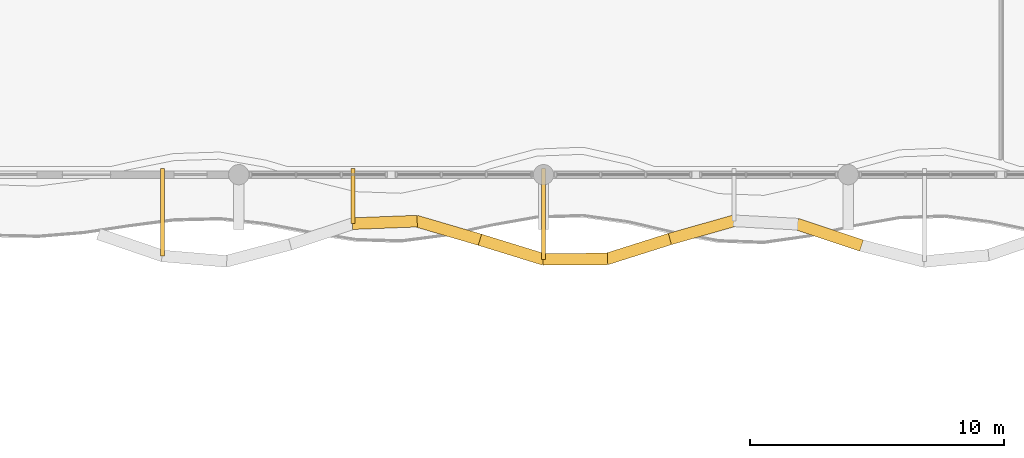
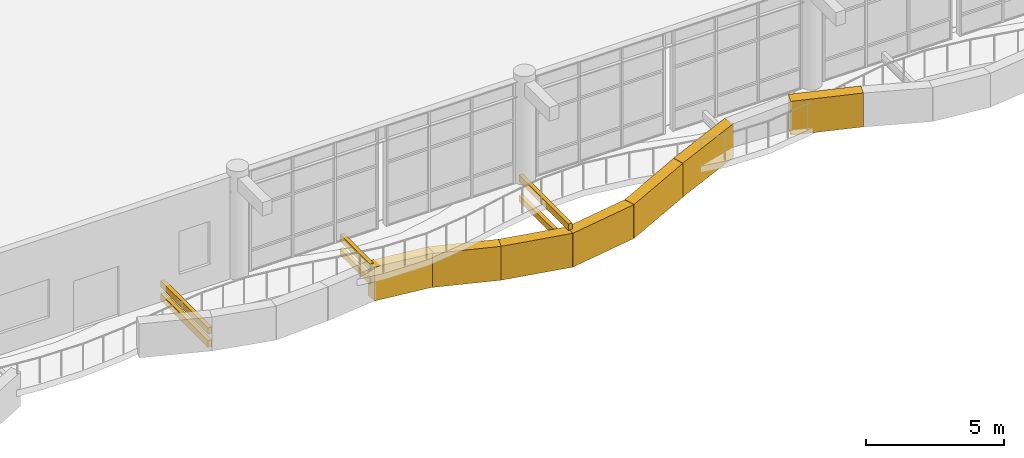
# One storey, part 59 of 72: 13 coverings.
"""IFC4 building model written with IfcOpenShell, lengths in metres."""

from ifc_helpers import new_model, si_unit, direction, frame, frame_2d, origin, place, context, subcontext, project, spatial, polyline, rectangle, outline, extrude, material, layer, layer_set, type_object, element, save


model = new_model("IFC4")

# Units and contexts
model_context = context("Model", 3, precision=1e-05, world=origin(), true_north=direction((0.0, 1.0)))
body_context = subcontext(model_context, "Body", "Model", "MODEL_VIEW")
ifc_project = project(units=[si_unit("LENGTHUNIT", "METRE"), si_unit("AREAUNIT", "SQUARE_METRE"), si_unit("VOLUMEUNIT", "CUBIC_METRE"), si_unit("PLANEANGLEUNIT", "RADIAN"), si_unit("MASSUNIT", "GRAM", prefix="KILO")], contexts=[model_context])

# Site, building, storey
site_placement = place(None, origin())
site = spatial("IfcSite", under=ifc_project, at=site_placement, CompositionType="ELEMENT")
building_placement = place(site_placement, origin())
building = spatial("IfcBuilding", under=site, at=building_placement, Name="Keelwater Ferry Terminal", CompositionType="ELEMENT")
storey_placement = place(building_placement, frame((0.0, 0.0, 5.39990234375)))
storey = spatial("IfcBuildingStorey", under=building, at=storey_placement, Name="L01", CompositionType="ELEMENT", Elevation=5.39990234375)

# Coverings
ifc_material = material(Name="Matte white architectural aluminium fascia ribbon", Category="aluminium")
ifc_layer = layer(ifc_material, 0.1201171875)
ifc_layer_set = layer_set([ifc_layer], Name="Matte white architectural aluminium fascia ribbon")
covering_type = type_object("IfcCoveringType", Name="RB-WHT Matte White Fascia Ribbon", PredefinedType="CLADDING", material=ifc_layer_set)
covering_1_placement = place(storey_placement, frame((69.0, 38.799072265625, 0.343017578125), z_axis=(0.0, 0.0, 1.0), x_axis=(0.0, 1.0, 0.0)))
element("IfcCovering", 1, at=covering_1_placement, inside=storey, type_object=covering_type, Name="Ribbon Horizontal Tie Bracket 400", PredefinedType="CLADDING", context=body_context, shape_type="SweptSolid", body=[
    extrude(rectangle(XDim=3.450927734375, YDim=0.159912109375, at=frame_2d((1.7255859375, 0.0))), origin(), (0.0, 0.0, 1.0), 0.280029296875),
])
covering_2_placement = place(storey_placement, frame((69.0, 38.799072265625, -0.25), z_axis=(0.0, 0.0, 1.0), x_axis=(0.0, 1.0, 0.0)))
element("IfcCovering", 2, at=covering_2_placement, inside=storey, type_object=covering_type, Name="Ribbon Slab Tie Bracket 403", PredefinedType="CLADDING", context=body_context, shape_type="SweptSolid", body=[
    extrude(rectangle(XDim=3.450927734375, YDim=0.159912109375, at=frame_2d((1.7255859375, 0.0))), origin(), (0.0, 0.0, 1.0), 0.300048828125),
])
covering_3_placement = place(storey_placement, frame((76.47509765625, 40.072998046875, -1.7919921875), z_axis=(0.0, 0.0, 1.0), x_axis=(0.999263716325, 0.038366981065, 0.0)))
element("IfcCovering", 3, at=covering_3_placement, inside=storey, type_object=covering_type, Name="Concourse Lower Wave Fascia Ribbon 414", PredefinedType="CLADDING", context=body_context, shape_type="SweptSolid", body=[
    extrude(outline(polyline([(0.0, 0.322998046875), (2.5517578125, 0.0), (2.5517578125, 1.5), (0.0, 1.822998046875), (0.0, 0.322998046875)])), frame((0.0, 0.22998046875, 0.0), z_axis=(0.0, -1.0, 0.0), x_axis=(1.0, 0.0, 0.0)), (0.0, 0.0, 1.0), 0.4599609375),
])
covering_4_placement = place(storey_placement, frame((76.5, 40.073974609375, -0.85888671875), z_axis=(0.0, 0.0, 1.0), x_axis=(0.0, 1.0, 0.0)))
element("IfcCovering", 4, at=covering_4_placement, inside=storey, type_object=covering_type, Name="Ribbon Horizontal Tie Bracket 418", PredefinedType="CLADDING", context=body_context, shape_type="SweptSolid", body=[
    extrude(rectangle(XDim=2.176025390625, YDim=0.159912109375, at=frame_2d((1.087890625, 0.0))), origin(), (0.0, 0.0, 1.0), 0.280029296875),
])
covering_5_placement = place(storey_placement, frame((76.5, 40.073974609375, -0.25), z_axis=(0.0, 0.0, 1.0), x_axis=(0.0, 1.0, 0.0)))
element("IfcCovering", 5, at=covering_5_placement, inside=storey, type_object=covering_type, Name="Ribbon Slab Tie Bracket 421", PredefinedType="CLADDING", context=body_context, shape_type="SweptSolid", body=[
    extrude(rectangle(XDim=2.176025390625, YDim=0.159912109375, at=frame_2d((1.087890625, 0.0))), origin(), (0.0, 0.0, 1.0), 0.300048828125),
])
covering_6_placement = place(storey_placement, frame((78.97607421875, 40.177001953125, -1.89892578125), z_axis=(0.0, 0.0, 1.0), x_axis=(0.959599440687, -0.281369709515, 0.0)))
element("IfcCovering", 6, at=covering_6_placement, inside=storey, type_object=covering_type, Name="Concourse Lower Wave Fascia Ribbon 426", PredefinedType="CLADDING", context=body_context, shape_type="SweptSolid", body=[
    extrude(outline(polyline([(0.0, 0.10693359375), (2.655029296875, 0.0), (2.655029296875, 1.5), (0.0, 1.60693359375), (0.0, 0.10693359375)])), frame((0.0, 0.22998046875, 0.0), z_axis=(0.0, -1.0, 0.0), x_axis=(1.0, 0.0, 0.0)), (0.0, 0.0, 1.0), 0.4599609375),
])
covering_7_placement = place(storey_placement, frame((81.47607421875, 39.444091796875, -1.89892578125), z_axis=(0.0, 0.0, 1.0), x_axis=(0.955445837969, -0.295166479648, 0.0)))
element("IfcCovering", 7, at=covering_7_placement, inside=storey, type_object=covering_type, Name="Concourse Lower Wave Fascia Ribbon 430", PredefinedType="CLADDING", context=body_context, shape_type="SweptSolid", body=[
    extrude(outline(polyline([(0.0, 0.0), (2.666748046875, 0.162109375), (2.666748046875, 1.662109375), (0.0, 1.5), (0.0, 0.0)])), frame((0.0, 0.22998046875, 0.0), z_axis=(0.0, -1.0, 0.0), x_axis=(1.0, 0.0, 0.0)), (0.0, 0.0, 1.0), 0.4599609375),
])
covering_8_placement = place(storey_placement, frame((83.97509765625, 38.6640625, -1.73681640625), z_axis=(0.0, 0.0, 1.0), x_axis=(0.999972112646, 0.007468194637, 0.0)))
element("IfcCovering", 8, at=covering_8_placement, inside=storey, type_object=covering_type, Name="Concourse Lower Wave Fascia Ribbon 434", PredefinedType="CLADDING", context=body_context, shape_type="SweptSolid", body=[
    extrude(outline(polyline([(0.0, 0.0), (2.5498046875, 0.35986328125), (2.5498046875, 1.85986328125), (0.0, 1.5), (0.0, 0.0)])), frame((0.0, 0.22998046875, 0.0), z_axis=(0.0, -1.0, 0.0), x_axis=(1.0, 0.0, 0.0)), (0.0, 0.0, 1.0), 0.4599609375),
])
covering_9_placement = place(storey_placement, frame((84.0, 38.6640625, -1.126953125), z_axis=(0.0, 0.0, 1.0), x_axis=(0.0, 1.0, 0.0)))
element("IfcCovering", 9, at=covering_9_placement, inside=storey, type_object=covering_type, Name="Ribbon Horizontal Tie Bracket 438", PredefinedType="CLADDING", context=body_context, shape_type="SweptSolid", body=[
    extrude(rectangle(XDim=3.5859375, YDim=0.159912109375, at=frame_2d((1.79296875, 0.0))), origin(), (0.0, 0.0, 1.0), 0.280029296875),
])
covering_10_placement = place(storey_placement, frame((84.0, 38.6640625, -0.25), z_axis=(0.0, 0.0, 1.0), x_axis=(0.0, 1.0, 0.0)))
element("IfcCovering", 10, at=covering_10_placement, inside=storey, type_object=covering_type, Name="Ribbon Slab Tie Bracket 441", PredefinedType="CLADDING", context=body_context, shape_type="SweptSolid", body=[
    extrude(rectangle(XDim=3.5859375, YDim=0.159912109375, at=frame_2d((1.79296875, 0.0))), origin(), (0.0, 0.0, 1.0), 0.300048828125),
])
covering_11_placement = place(storey_placement, frame((86.47607421875, 38.675048828125, -1.376953125), z_axis=(0.0, 0.0, 1.0), x_axis=(0.953335214088, 0.30191384463, 0.0)))
element("IfcCovering", 11, at=covering_11_placement, inside=storey, type_object=covering_type, Name="Concourse Lower Wave Fascia Ribbon 446", PredefinedType="CLADDING", context=body_context, shape_type="SweptSolid", body=[
    extrude(outline(polyline([(0.0, 0.0), (2.672607421875, 0.47705078125), (2.672607421875, 1.97705078125), (0.0, 1.5), (0.0, 0.0)])), frame((0.0, 0.22998046875, 0.0), z_axis=(0.0, -1.0, 0.0), x_axis=(1.0, 0.0, 0.0)), (0.0, 0.0, 1.0), 0.4599609375),
])
covering_12_placement = place(storey_placement, frame((88.97607421875, 39.467041015625, -0.89990234375), z_axis=(0.0, 0.0, 1.0), x_axis=(0.961832872249, 0.273637581229, 0.0)))
element("IfcCovering", 12, at=covering_12_placement, inside=storey, type_object=covering_type, Name="Concourse Lower Wave Fascia Ribbon 449", PredefinedType="CLADDING", context=body_context, shape_type="SweptSolid", body=[
    extrude(outline(polyline([(0.0, 0.0), (2.64892578125, 0.426025390625), (2.64892578125, 1.926025390625), (0.0, 1.5), (0.0, 0.0)])), frame((0.0, 0.22998046875, 0.0), z_axis=(0.0, -1.0, 0.0), x_axis=(1.0, 0.0, 0.0)), (0.0, 0.0, 1.0), 0.4599609375),
])
covering_13_placement = place(storey_placement, frame((93.97607421875, 40.05908203125, -0.23681640625), z_axis=(0.0, 0.0, 1.0), x_axis=(0.948483159873, -0.31682754842, 0.0)))
element("IfcCovering", 13, at=covering_13_placement, inside=storey, type_object=covering_type, Name="Concourse Lower Wave Fascia Ribbon 463", PredefinedType="CLADDING", context=body_context, shape_type="SweptSolid", body=[
    extrude(outline(polyline([(0.0, 0.00390625), (2.686279296875, 0.0), (2.686279296875, 1.5), (0.0, 1.50390625), (0.0, 0.00390625)])), frame((0.0, 0.22998046875, 0.0), z_axis=(0.0, -1.0, 0.0), x_axis=(1.0, 0.0, 0.0)), (0.0, 0.0, 1.0), 0.4599609375),
])

save(model, "model.ifc")
